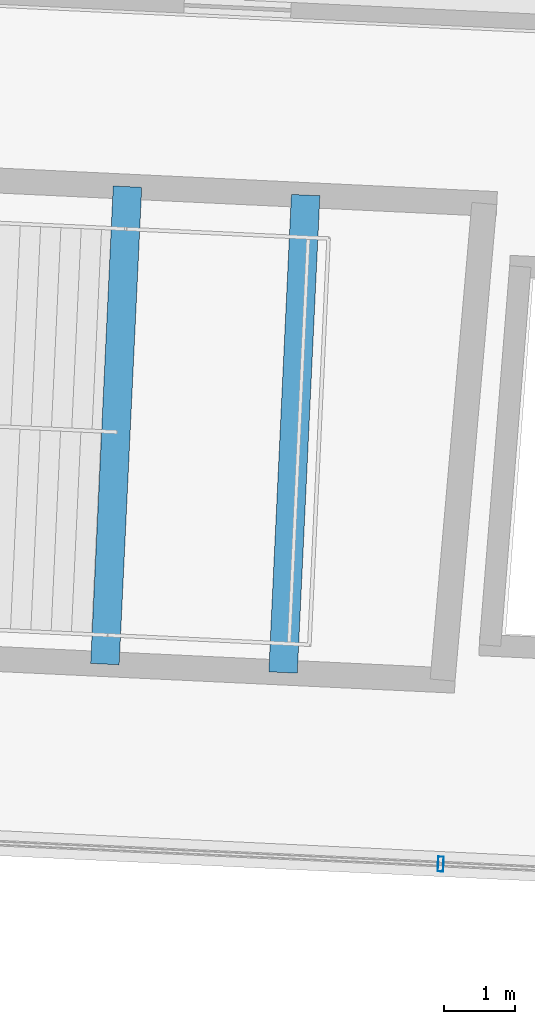
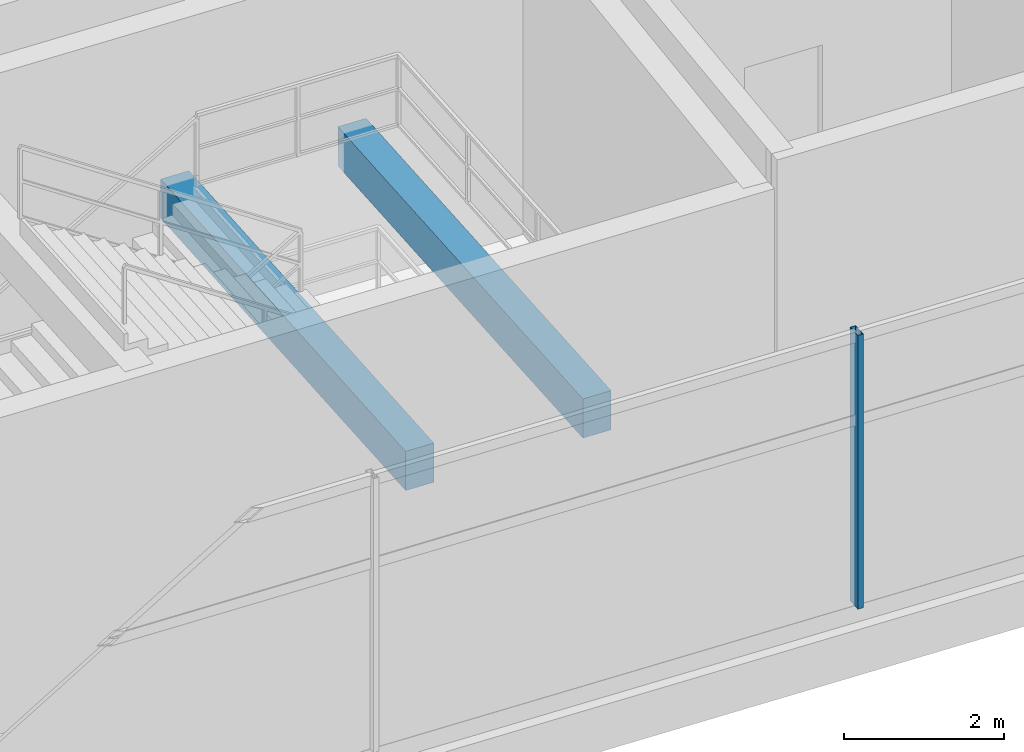
# One storey, part 22 of 184: 2 beams, 1 member, 1 element without a shape of its own.
"""IFC4 building model written with IfcOpenShell, lengths in metres."""

from ifc_helpers import new_model, si_unit, direction, frame, origin, origin_2d, place, context, subcontext, project, spatial, rectangle, hollow_rectangle, extrude, material, layer, layer_set, material_profile, profile_set, type_object, element, aggregate, save


model = new_model("IFC4")

# Units and contexts
model_context = context("Model", 3, precision=1e-05, world=origin(), true_north=direction((0.0, 1.0)))
body_context = subcontext(model_context, "Body", "Model", "MODEL_VIEW")
ifc_project = project(units=[si_unit("LENGTHUNIT", "METRE"), si_unit("AREAUNIT", "SQUARE_METRE"), si_unit("VOLUMEUNIT", "CUBIC_METRE"), si_unit("PLANEANGLEUNIT", "RADIAN"), si_unit("MASSUNIT", "GRAM", prefix="KILO")], contexts=[model_context])

# Site, building, storey
site_placement = place(None, origin())
site = spatial("IfcSite", under=ifc_project, at=site_placement, CompositionType="ELEMENT")
building_placement = place(site_placement, origin())
building = spatial("IfcBuilding", under=site, at=building_placement, Name="Kazemori Nagisa Stadium", CompositionType="ELEMENT")
storey_placement = place(building_placement, frame((0.0, 0.0, 10.5400390625)))
storey = spatial("IfcBuildingStorey", under=building, at=storey_placement, Name="L02", CompositionType="ELEMENT", Elevation=10.5400390625)

# Beams
ifc_material_1 = material(Name="Concrete C40/50 (Fc42)", Category="concrete")
ifc_material_profile_1 = material_profile(ifc_material_1, rectangle(XDim=0.39990234375, YDim=0.60009765625, at=origin_2d()), Name="RC-BM-400x600")
ifc_profile_set_1 = profile_set([ifc_material_profile_1], Name="Concrete C40/50 (Fc42)")
beam_type = type_object("IfcBeamType", Name="Beam_BG-LND400X600", PredefinedType="BEAM", material=ifc_profile_set_1)
beam_1_placement = place(storey_placement, frame((111.308349609375, 25.8408203125, 2.050048828125), z_axis=(-0.047220656191, -0.998884482625, 0.0), x_axis=(0.998884482625, -0.047220656191, 0.0)))
element("IfcBeam", 1, at=beam_1_placement, inside=storey, type_object=beam_type, Name="Core stair mid-landing girder ST12-L02-1", PredefinedType="BEAM", context=body_context, shape_type="SweptSolid", body=[
    extrude(rectangle(XDim=0.39990234375, YDim=0.60009765625, at=origin_2d()), origin(), (0.0, 0.0, 1.0), 6.70068359375),
])
beam_2_placement = place(storey_placement, frame((113.8056640625, 25.72265625, 2.050048828125), z_axis=(-0.047258730523, -0.998882681995, 0.0), x_axis=(0.998882681995, -0.047258730523, 0.0)))
element("IfcBeam", 2, at=beam_2_placement, inside=storey, type_object=beam_type, Name="Core stair mid-landing girder ST12-L02-2", PredefinedType="BEAM", context=body_context, shape_type="SweptSolid", body=[
    extrude(rectangle(XDim=0.39990234375, YDim=0.60009765625, at=origin_2d()), origin(), (0.0, 0.0, 1.0), 6.700439453125),
])

# Curtain wall, member
ifc_material_2 = material(Name="Anodised aluminium 6063-T5", Category="aluminium")
ifc_layer = layer(ifc_material_2, 0.2099609375, Name="Anodised aluminium 6063-T5", Category="aluminium")
ifc_layer_set = layer_set([ifc_layer], Name="Anodised aluminium 6063-T5")
curtain_wall_type = type_object("IfcCurtainWallType", Name="CW_L02R3_103", PredefinedType="USERDEFINED", material=ifc_layer_set)
curtain_wall_placement = place(storey_placement, origin())
curtain_wall = element("IfcCurtainWall", 3, at=curtain_wall_placement, inside=storey, type_object=curtain_wall_type, Name="Unitised curtain wall CW-L02R3-103 L02", ObjectType="UNITISED CURTAIN WALL", PredefinedType="USERDEFINED")
ifc_material_3 = material(Name="Aluminium 6063-T5 anodised", Category="aluminium")
ifc_material_profile_2 = material_profile(ifc_material_3, hollow_rectangle(XDim=0.080078125, YDim=0.2099609375, WallThickness=0.0048828125, at=origin_2d()), Name="ALU-MULL-80x210x5")
ifc_profile_set_2 = profile_set([ifc_material_profile_2], Name="Aluminium 6063-T5 anodised")
member_type = type_object("IfcMemberType", Name="Mullion_M02", PredefinedType="MULLION", material=ifc_profile_set_2)
member_placement = place(storey_placement, frame((115.69921875, 16.34521484375, 0.0), z_axis=(0.0, 0.0, 1.0), x_axis=(0.998884022476, -0.047230388971, 0.0)))
member = element("IfcMember", 4, at=member_placement, type_object=member_type, Name="Curtain wall mullion CW-L02R3-103-M3", PredefinedType="MULLION", context=body_context, shape_type="SweptSolid", body=[
    extrude(hollow_rectangle(XDim=0.080078125, YDim=0.2099609375, WallThickness=0.0048828125, at=origin_2d()), origin(), (0.0, 0.0, 1.0), 4.18994140625),
])
aggregate(curtain_wall, [member])

save(model, "model.ifc")
